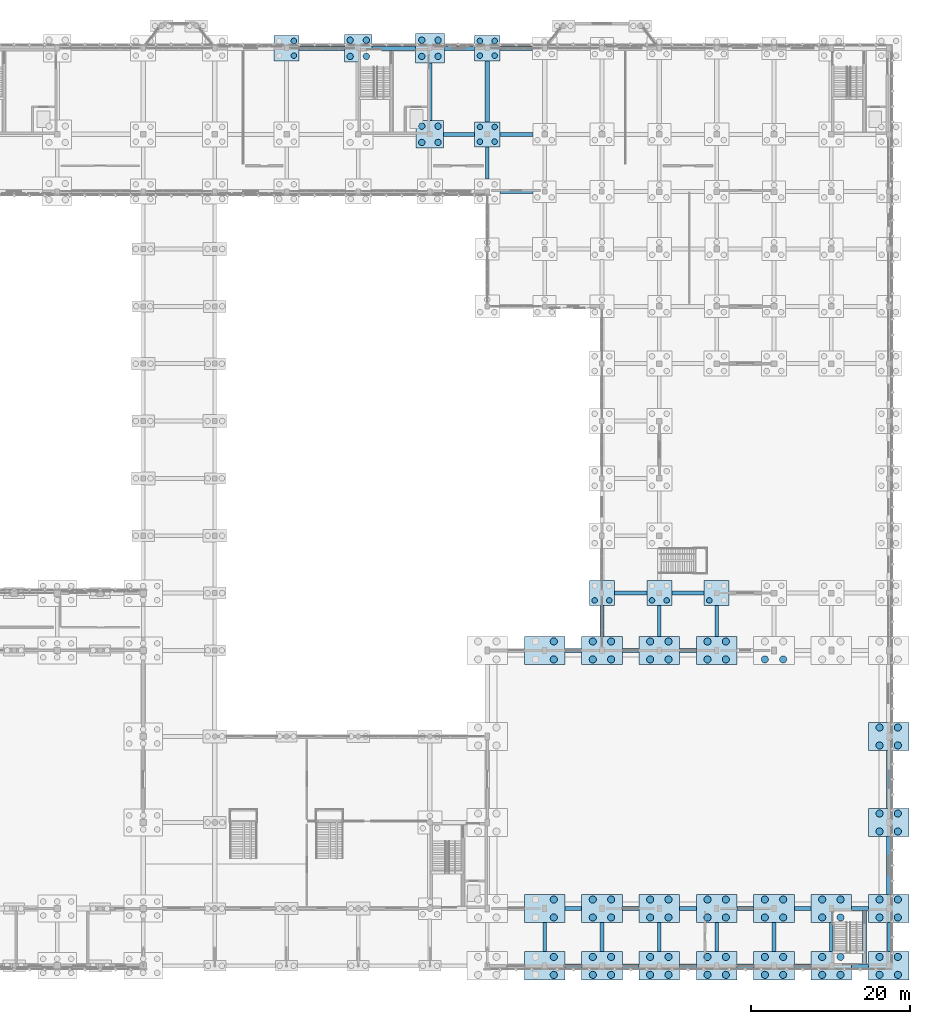
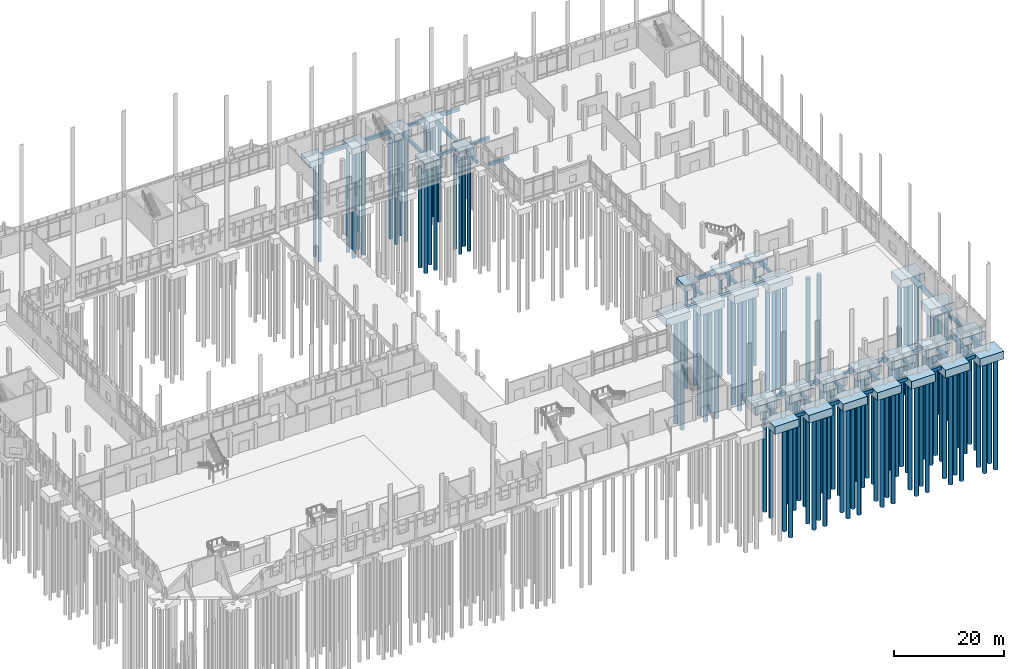
# One storey, part 7 of 109: 103 piles, 69 footings.
"""IFC4 building model written with IfcOpenShell, lengths in metres."""

import ifcopenshell
import ifcopenshell.guid

model = None  # the IFC model being written
_history = None  # IfcOwnerHistory: only IFC2X3 demands one
_inside = {}  # id of a spatial element -> (the spatial element, [elements in it])
_under = {}  # id of a project, library or spatial element -> (it, [spatial elements below it])
_declared = {}  # id of a project -> (the project, [libraries it declares])
_typed = {}  # id of a type object -> (the type object, [elements of that type])
_made_of = {}  # id of a material, layer set ... -> (it, [elements and type objects made of it])


def new_model(schema):
    """Start an empty IFC model of exactly this schema.

    Asked for "IFC4X3", IfcOpenShell would pick the latest addendum, in which some entities
    have other attributes; the version numbers below select the first issue.
    IFC2X3 requires an IfcOwnerHistory on every rooted entity: one is made here for all.
    """
    global model, _history
    if schema == "IFC4X3":
        model = ifcopenshell.file(schema_version=(4, 3, 0, 0))
    else:
        model = ifcopenshell.file(schema=schema)
    _inside.clear()
    _under.clear()
    _declared.clear()
    _typed.clear()
    _made_of.clear()
    _history = None
    if model.schema == "IFC2X3":
        org = make("IfcOrganization", Name="unknown")
        user = make(
            "IfcPersonAndOrganization",
            ThePerson=make("IfcPerson", FamilyName="unknown"),
            TheOrganization=org,
        )
        app = make(
            "IfcApplication",
            ApplicationDeveloper=org,
            Version="unknown",
            ApplicationFullName="unknown",
            ApplicationIdentifier="unknown",
        )
        _history = make(
            "IfcOwnerHistory",
            OwningUser=user,
            OwningApplication=app,
            ChangeAction="ADDED",
            CreationDate=0,
        )
    return model


def make(cls, **values):
    """One entity of the class cls with the attributes given. An attribute that is None is left unset."""
    return model.create_entity(
        cls, **{name: value for name, value in values.items() if value is not None}
    )


def rooted(cls, **values):
    """An entity with a GlobalId (a new one), such as an element, a storey or a relation."""
    return make(cls, GlobalId=ifcopenshell.guid.new(), OwnerHistory=_history, **values)


def si_unit(unit_type, name, prefix=None):
    """IfcSIUnit, for example si_unit("LENGTHUNIT", "METRE", prefix="MILLI")."""
    return make("IfcSIUnit", UnitType=unit_type, Prefix=prefix, Name=name)


def assignment(units):
    """IfcUnitAssignment: the units of a project."""
    return None if units is None else make("IfcUnitAssignment", Units=units)


def point(xyz):
    """IfcCartesianPoint."""
    return None if xyz is None else make("IfcCartesianPoint", Coordinates=xyz)


def direction(xyz):
    """IfcDirection."""
    return None if xyz is None else make("IfcDirection", DirectionRatios=xyz)


def frame(location, z_axis=None, x_axis=None):
    """IfcAxis2Placement3D, a coordinate frame: its origin and axes. An axis left out is left unset."""
    return make(
        "IfcAxis2Placement3D",
        Location=point(location),
        Axis=direction(z_axis),
        RefDirection=direction(x_axis),
    )


def frame_2d(location, x_axis=None):
    """IfcAxis2Placement2D, a coordinate frame in the plane: its origin and x axis."""
    return make(
        "IfcAxis2Placement2D", Location=point(location), RefDirection=direction(x_axis)
    )


def origin():
    """The frame at (0, 0, 0) with its axes left unset."""
    return frame((0.0, 0.0, 0.0))


def origin_2d():
    """The frame at (0, 0) in the plane with its x axis left unset."""
    return frame_2d((0.0, 0.0))


def place(relative_to, where):
    """IfcLocalPlacement: puts the frame where relative to a parent placement (None: the world)."""
    return make(
        "IfcLocalPlacement", PlacementRelTo=relative_to, RelativePlacement=where
    )


def context(
    kind, dimensions, precision=None, world=None, true_north=None, identifier=None
):
    """IfcGeometricRepresentationContext, for example the 3D "Model" context."""
    return make(
        "IfcGeometricRepresentationContext",
        ContextIdentifier=identifier,
        ContextType=kind,
        CoordinateSpaceDimension=dimensions,
        Precision=precision,
        WorldCoordinateSystem=world,
        TrueNorth=true_north,
    )


def subcontext(parent, identifier, kind, view, scale=None):
    """IfcGeometricRepresentationSubContext, for example "Body" below "Model"."""
    return make(
        "IfcGeometricRepresentationSubContext",
        ContextIdentifier=identifier,
        ContextType=kind,
        ParentContext=parent,
        TargetScale=scale,
        TargetView=view,
    )


def project(units=None, contexts=None):
    """IfcProject with its units and contexts."""
    return rooted(
        "IfcProject",
        Name="project",
        RepresentationContexts=contexts,
        UnitsInContext=assignment(units),
    )


def spatial(cls, under=None, at=None, **own):
    """A site, building, storey or space (cls), placed at a placement, below another one or the project."""
    s = rooted(cls, ObjectPlacement=at, **own)
    if under is not None:
        _under.setdefault(under.id(), (under, []))[1].append(s)
    return s


def profile(cls, at=None, kind="AREA", **sizes):
    """A parametric profile (cls). Its sizes go by their IFC names, for example OverallWidth=200.0."""
    return make(cls, ProfileType=kind, Position=at, **sizes)


def rectangle(**sizes):
    """IfcRectangleProfileDef."""
    return profile("IfcRectangleProfileDef", **sizes)


def circle(**sizes):
    """IfcCircleProfileDef."""
    return profile("IfcCircleProfileDef", **sizes)


def extrude(swept, where, along, depth):
    """IfcExtrudedAreaSolid: the profile swept, set in the frame where, extruded along a direction by depth."""
    return make(
        "IfcExtrudedAreaSolid",
        SweptArea=swept,
        Position=where,
        ExtrudedDirection=direction(along),
        Depth=depth,
    )


def shape(context_of_items, identifier, shape_type, items):
    """IfcShapeRepresentation: the items that make up one representation, for example the "Body"."""
    return make(
        "IfcShapeRepresentation",
        ContextOfItems=context_of_items,
        RepresentationIdentifier=identifier,
        RepresentationType=shape_type,
        Items=items,
    )


def material(Name=None, Category=None):
    """IfcMaterial."""
    return make("IfcMaterial", Name=Name, Category=Category)


def material_profile(
    of_material, cross_section, Name=None, Category=None, Priority=None
):
    """IfcMaterialProfile: a cross section and its material."""
    return make(
        "IfcMaterialProfile",
        Name=Name,
        Material=of_material,
        Profile=cross_section,
        Priority=Priority,
        Category=Category,
    )


def profile_set(profiles, Name=None, composite=None):
    """IfcMaterialProfileSet."""
    return make(
        "IfcMaterialProfileSet",
        Name=Name,
        MaterialProfiles=profiles,
        CompositeProfile=composite,
    )


def made_of(thing, what):
    """Note that an element or type object is made of a material, layer set ...; save() writes the relation."""
    if what is not None:
        _made_of.setdefault(what.id(), (what, []))[1].append(thing)
    return thing


def type_object(cls, material=None, **own):
    """A type object (cls), such as IfcWallType, which elements share."""
    return made_of(rooted(cls, **own), material)


def element(
    cls,
    number,
    at=None,
    inside=None,
    cuts=None,
    type_object=None,
    material=None,
    context=None,
    identifier="Body",
    shape_type=None,
    held_by="IfcProductDefinitionShape",
    body=None,
    shapes=None,
    **own,
):
    """One element of the class cls, such as IfcWall. Its Tag is "e" and its number.

    at: its placement. inside: the storey or other place that contains it. cuts: it is an
    opening in that element (IfcRelVoidsElement). A single representation is given by context,
    identifier, shape_type and body (its items); several are given by shapes. held_by: the class
    of the entity that holds the representations. save() writes the other relations.
    """
    e = rooted(cls, Tag="e%d" % number, ObjectPlacement=at, **own)
    if body is not None:
        shapes = [shape(context, identifier, shape_type, body)]
    if shapes is not None:
        e.Representation = make(held_by, Representations=shapes)
    if inside is not None:
        _inside.setdefault(inside.id(), (inside, []))[1].append(e)
    if cuts is not None:
        rooted(
            "IfcRelVoidsElement", RelatingBuildingElement=cuts, RelatedOpeningElement=e
        )
    if type_object is not None:
        _typed.setdefault(type_object.id(), (type_object, []))[1].append(e)
    return made_of(e, material)


def aggregate(whole, parts):
    """IfcRelAggregates: a whole, such as a stair, and the parts it consists of."""
    return rooted("IfcRelAggregates", RelatingObject=whole, RelatedObjects=parts)


def save(model, path):
    """Write the relations noted so far, then the file.

    IfcRelAggregates (storeys below a building ...), IfcRelContainedInSpatialStructure (elements
    in a storey), IfcRelDefinesByType, IfcRelAssociatesMaterial and IfcRelDeclares: one each for
    every whole, place, type object, material and project.
    """
    for whole, parts in _under.values():
        aggregate(whole, parts)
    for where, things in _inside.values():
        rooted(
            "IfcRelContainedInSpatialStructure",
            RelatedElements=things,
            RelatingStructure=where,
        )
    for kind, things in _typed.values():
        rooted("IfcRelDefinesByType", RelatedObjects=things, RelatingType=kind)
    for what, things in _made_of.values():
        rooted("IfcRelAssociatesMaterial", RelatedObjects=things, RelatingMaterial=what)
    for by, libraries in _declared.values():
        rooted("IfcRelDeclares", RelatingContext=by, RelatedDefinitions=libraries)
    model.write(path)


model = new_model("IFC4")

# Units and contexts
model_context = context("Model", 3, precision=1e-05, world=origin(), true_north=direction((0.0, 1.0)))
body_context = subcontext(model_context, "Body", "Model", "MODEL_VIEW")
ifc_project = project(units=[si_unit("LENGTHUNIT", "METRE"), si_unit("AREAUNIT", "SQUARE_METRE"), si_unit("VOLUMEUNIT", "CUBIC_METRE"), si_unit("PLANEANGLEUNIT", "RADIAN"), si_unit("MASSUNIT", "GRAM", prefix="KILO")], contexts=[model_context])

# Site, building, storey
site_placement = place(None, origin())
site = spatial("IfcSite", under=ifc_project, at=site_placement, CompositionType="ELEMENT")
building_placement = place(site_placement, origin())
building = spatial("IfcBuilding", under=site, at=building_placement, Name="Lusvemor Sports Hall", CompositionType="ELEMENT")
storey_placement = place(building_placement, origin())
storey = spatial("IfcBuildingStorey", under=building, at=storey_placement, Name="L00", CompositionType="ELEMENT", Elevation=0.0)

# Footings
ifc_material_1 = material(Name="Concrete C40/50", Category="concrete")
ifc_material_profile_1 = material_profile(ifc_material_1, rectangle(XDim=0.449951171875, YDim=0.64990234375, at=origin_2d()), Name="GB_450x650")
ifc_profile_set_1 = profile_set([ifc_material_profile_1], Name="Concrete C40/50")
footing_type_1 = type_object("IfcFootingType", Name="GBEAM_450x650", PredefinedType="FOOTING_BEAM", material=ifc_profile_set_1)
footing_1_placement = place(storey_placement, frame((118.800048828125, 98.77294921875, -0.625), z_axis=(0.0, 1.0, 0.0), x_axis=(-1.0, 0.0, 0.0)))
element("IfcFooting", 1, at=footing_1_placement, inside=storey, type_object=footing_type_1, Name="Ground Tie Beam 13:N-P", PredefinedType="FOOTING_BEAM", context=body_context, shape_type="SweptSolid", body=[
    extrude(rectangle(XDim=0.449951171875, YDim=0.64990234375, at=origin_2d()), origin(), (0.0, 0.0, 1.0), 4.053955078125),
])
for number, where, z_axis, x_axis, name in (
    (2, (126.0, 1.77294921875, -0.625), (0.0, 1.0, 0.0), (-1.0, 0.0, 0.0), "Ground Tie Beam 14:A-B"),
    (3, (133.199951171875, 1.77294921875, -0.625), (0.0, 1.0, 0.0), (-1.0, 0.0, 0.0), "Ground Tie Beam 15:A-B"),
):
    element("IfcFooting", number, at=place(storey_placement, frame(where, z_axis=z_axis, x_axis=x_axis)), inside=storey, type_object=footing_type_1, Name=name, PredefinedType="FOOTING_BEAM", context=body_context, shape_type="SweptSolid", body=[
        extrude(rectangle(XDim=0.449951171875, YDim=0.64990234375, at=origin_2d()), origin(), (0.0, 0.0, 1.0), 3.654052734375),
    ])
footing_2_placement = place(storey_placement, frame((133.199951171875, 41.373046875, -0.625), z_axis=(0.0, 1.0, 0.0), x_axis=(-1.0, 0.0, 0.0)))
element("IfcFooting", 4, at=footing_2_placement, inside=storey, type_object=footing_type_1, Name="Ground Tie Beam 15:E-F", PredefinedType="FOOTING_BEAM", context=body_context, shape_type="SweptSolid", body=[
    extrude(rectangle(XDim=0.449951171875, YDim=0.64990234375, at=origin_2d()), origin(), (0.0, 0.0, 1.0), 3.85400390625),
])
footing_3_placement = place(storey_placement, frame((140.39990234375, 1.77294921875, -0.625), z_axis=(0.0, 1.0, 0.0), x_axis=(-1.0, 0.0, 0.0)))
element("IfcFooting", 5, at=footing_3_placement, inside=storey, type_object=footing_type_1, Name="Ground Tie Beam 16:A-B", PredefinedType="FOOTING_BEAM", context=body_context, shape_type="SweptSolid", body=[
    extrude(rectangle(XDim=0.449951171875, YDim=0.64990234375, at=origin_2d()), origin(), (0.0, 0.0, 1.0), 3.654052734375),
])
footing_4_placement = place(storey_placement, frame((140.39990234375, 41.373046875, -0.625), z_axis=(0.0, 1.0, 0.0), x_axis=(-1.0, 0.0, 0.0)))
element("IfcFooting", 6, at=footing_4_placement, inside=storey, type_object=footing_type_1, Name="Ground Tie Beam 16:E-F", PredefinedType="FOOTING_BEAM", context=body_context, shape_type="SweptSolid", body=[
    extrude(rectangle(XDim=0.449951171875, YDim=0.64990234375, at=origin_2d()), origin(), (0.0, 0.0, 1.0), 3.85400390625),
])
footing_5_placement = place(storey_placement, frame((147.60009765625, 1.77294921875, -0.625), z_axis=(0.0, 1.0, 0.0), x_axis=(-1.0, 0.0, 0.0)))
element("IfcFooting", 7, at=footing_5_placement, inside=storey, type_object=footing_type_1, Name="Ground Tie Beam 17:A-B", PredefinedType="FOOTING_BEAM", context=body_context, shape_type="SweptSolid", body=[
    extrude(rectangle(XDim=0.449951171875, YDim=0.64990234375, at=origin_2d()), origin(), (0.0, 0.0, 1.0), 3.654052734375),
])
footing_6_placement = place(storey_placement, frame((147.60009765625, 41.373046875, -0.625), z_axis=(0.0, 1.0, 0.0), x_axis=(-1.0, 0.0, 0.0)))
element("IfcFooting", 8, at=footing_6_placement, inside=storey, type_object=footing_type_1, Name="Ground Tie Beam 17:E-F", PredefinedType="FOOTING_BEAM", context=body_context, shape_type="SweptSolid", body=[
    extrude(rectangle(XDim=0.449951171875, YDim=0.64990234375, at=origin_2d()), origin(), (0.0, 0.0, 1.0), 3.85400390625),
])
for number, where, z_axis, x_axis, name in (
    (9, (154.800048828125, 1.77294921875, -0.625), (0.0, 1.0, 0.0), (-1.0, 0.0, 0.0), "Ground Tie Beam 18:A-B"),
    (10, (162.0, 1.77294921875, -0.625), (0.0, 1.0, 0.0), (-1.0, 0.0, 0.0), "Ground Tie Beam 19:A-B"),
    (11, (169.199951171875, 1.77294921875, -0.625), (0.0, 1.0, 0.0), (-1.0, 0.0, 0.0), "Ground Tie Beam 20:A-B"),
):
    element("IfcFooting", number, at=place(storey_placement, frame(where, z_axis=z_axis, x_axis=x_axis)), inside=storey, type_object=footing_type_1, Name=name, PredefinedType="FOOTING_BEAM", context=body_context, shape_type="SweptSolid", body=[
        extrude(rectangle(XDim=0.449951171875, YDim=0.64990234375, at=origin_2d()), origin(), (0.0, 0.0, 1.0), 3.654052734375),
    ])
ifc_material_2 = material(Name="Concrete C40/50", Category="concrete")
ifc_material_profile_2 = material_profile(ifc_material_2, rectangle(XDim=0.5, YDim=0.699951171875, at=origin_2d()), Name="GB_500x700")
ifc_profile_set_2 = profile_set([ifc_material_profile_2], Name="Concrete C40/50")
footing_type_2 = type_object("IfcFootingType", Name="GBEAM_500x700", PredefinedType="FOOTING_BEAM", material=ifc_profile_set_2)
for number, where, z_axis, x_axis, name in (
    (12, (128.548095703125, 0.0, -0.64990234375), (1.0, 0.0, 0.0), (0.0, 1.0, 0.0), "Ground Tie Beam A:14-15"),
    (13, (135.748046875, 0.0, -0.64990234375), (1.0, 0.0, 0.0), (0.0, 1.0, 0.0), "Ground Tie Beam A:15-16"),
    (14, (142.947998046875, 0.0, -0.64990234375), (1.0, 0.0, 0.0), (0.0, 1.0, 0.0), "Ground Tie Beam A:16-17"),
    (15, (150.14794921875, 0.0, -0.64990234375), (1.0, 0.0, 0.0), (0.0, 1.0, 0.0), "Ground Tie Beam A:17-18"),
    (16, (157.347900390625, 0.0, -0.64990234375), (1.0, 0.0, 0.0), (0.0, 1.0, 0.0), "Ground Tie Beam A:18-19"),
    (17, (164.548095703125, 0.0, -0.64990234375), (1.0, 0.0, 0.0), (0.0, 1.0, 0.0), "Ground Tie Beam A:19-20"),
    (18, (128.548095703125, 7.199951171875, -0.64990234375), (1.0, 0.0, 0.0), (0.0, 1.0, 0.0), "Ground Tie Beam B:14-15"),
    (19, (135.748046875, 7.199951171875, -0.64990234375), (1.0, 0.0, 0.0), (0.0, 1.0, 0.0), "Ground Tie Beam B:15-16"),
    (20, (142.947998046875, 7.199951171875, -0.64990234375), (1.0, 0.0, 0.0), (0.0, 1.0, 0.0), "Ground Tie Beam B:16-17"),
    (21, (150.14794921875, 7.199951171875, -0.64990234375), (1.0, 0.0, 0.0), (0.0, 1.0, 0.0), "Ground Tie Beam B:17-18"),
    (22, (157.347900390625, 7.199951171875, -0.64990234375), (1.0, 0.0, 0.0), (0.0, 1.0, 0.0), "Ground Tie Beam B:18-19"),
    (23, (164.548095703125, 7.199951171875, -0.64990234375), (1.0, 0.0, 0.0), (0.0, 1.0, 0.0), "Ground Tie Beam B:19-20"),
    (24, (128.548095703125, 39.60009765625, -0.64990234375), (1.0, 0.0, 0.0), (0.0, 1.0, 0.0), "Ground Tie Beam E:14-15"),
    (25, (135.748046875, 39.60009765625, -0.64990234375), (1.0, 0.0, 0.0), (0.0, 1.0, 0.0), "Ground Tie Beam E:15-16"),
    (26, (142.947998046875, 39.60009765625, -0.64990234375), (1.0, 0.0, 0.0), (0.0, 1.0, 0.0), "Ground Tie Beam E:16-17"),
):
    element("IfcFooting", number, at=place(storey_placement, frame(where, z_axis=z_axis, x_axis=x_axis)), inside=storey, type_object=footing_type_2, Name=name, PredefinedType="FOOTING_BEAM", context=body_context, shape_type="SweptSolid", body=[
        extrude(rectangle(XDim=0.5, YDim=0.699951171875, at=origin_2d()), origin(), (0.0, 0.0, 1.0), 2.10400390625),
    ])
footing_7_placement = place(storey_placement, frame((134.77294921875, 46.800048828125, -0.64990234375), z_axis=(1.0, 0.0, 0.0), x_axis=(0.0, 1.0, 0.0)))
element("IfcFooting", 27, at=footing_7_placement, inside=storey, type_object=footing_type_2, Name="Ground Tie Beam F:15-16", PredefinedType="FOOTING_BEAM", context=body_context, shape_type="SweptSolid", body=[
    extrude(rectangle(XDim=0.5, YDim=0.699951171875, at=origin_2d()), origin(), (0.0, 0.0, 1.0), 4.053955078125),
])
footing_8_placement = place(storey_placement, frame((141.972900390625, 46.800048828125, -0.64990234375), z_axis=(1.0, 0.0, 0.0), x_axis=(0.0, 1.0, 0.0)))
element("IfcFooting", 28, at=footing_8_placement, inside=storey, type_object=footing_type_2, Name="Ground Tie Beam F:16-17", PredefinedType="FOOTING_BEAM", context=body_context, shape_type="SweptSolid", body=[
    extrude(rectangle(XDim=0.5, YDim=0.699951171875, at=origin_2d()), origin(), (0.0, 0.0, 1.0), 4.05419921875),
])
footing_9_placement = place(storey_placement, frame((120.373046875, 97.199951171875, -0.64990234375), z_axis=(1.0, 0.0, 0.0), x_axis=(0.0, 1.0, 0.0)))
element("IfcFooting", 29, at=footing_9_placement, inside=storey, type_object=footing_type_2, Name="Ground Tie Beam N:13-14", PredefinedType="FOOTING_BEAM", context=body_context, shape_type="SweptSolid", body=[
    extrude(rectangle(XDim=0.5, YDim=0.699951171875, at=origin_2d()), origin(), (0.0, 0.0, 1.0), 4.178955078125),
])
footing_10_placement = place(storey_placement, frame((113.322998046875, 104.39990234375, -0.64990234375), z_axis=(1.0, 0.0, 0.0), x_axis=(0.0, 1.0, 0.0)))
element("IfcFooting", 30, at=footing_10_placement, inside=storey, type_object=footing_type_2, Name="Ground Tie Beam P:12-13", PredefinedType="FOOTING_BEAM", context=body_context, shape_type="SweptSolid", body=[
    extrude(rectangle(XDim=0.5, YDim=0.699951171875, at=origin_2d()), origin(), (0.0, 0.0, 1.0), 3.904052734375),
])
footing_11_placement = place(storey_placement, frame((120.373046875, 104.39990234375, -0.64990234375), z_axis=(1.0, 0.0, 0.0), x_axis=(0.0, 1.0, 0.0)))
element("IfcFooting", 31, at=footing_11_placement, inside=storey, type_object=footing_type_2, Name="Ground Tie Beam P:13-14", PredefinedType="FOOTING_BEAM", context=body_context, shape_type="SweptSolid", body=[
    extrude(rectangle(XDim=0.5, YDim=0.699951171875, at=origin_2d()), origin(), (0.0, 0.0, 1.0), 4.178955078125),
])
footing_12_placement = place(storey_placement, frame((95.173095703125, 115.199951171875, -0.64990234375), z_axis=(1.0, 0.0, 0.0), x_axis=(0.0, 1.0, 0.0)))
element("IfcFooting", 32, at=footing_12_placement, inside=storey, type_object=footing_type_2, Name="Ground Tie Beam Q:10-11", PredefinedType="FOOTING_BEAM", context=body_context, shape_type="SweptSolid", body=[
    extrude(rectangle(XDim=0.5, YDim=0.699951171875, at=origin_2d()), origin(), (0.0, 0.0, 1.0), 5.703857421875),
])
footing_13_placement = place(storey_placement, frame((104.322998046875, 115.199951171875, -0.64990234375), z_axis=(1.0, 0.0, 0.0), x_axis=(0.0, 1.0, 0.0)))
element("IfcFooting", 33, at=footing_13_placement, inside=storey, type_object=footing_type_2, Name="Ground Tie Beam Q:11-12", PredefinedType="FOOTING_BEAM", context=body_context, shape_type="SweptSolid", body=[
    extrude(rectangle(XDim=0.5, YDim=0.699951171875, at=origin_2d()), origin(), (0.0, 0.0, 1.0), 5.4541015625),
])
footing_14_placement = place(storey_placement, frame((113.423095703125, 115.199951171875, -0.64990234375), z_axis=(1.0, 0.0, 0.0), x_axis=(0.0, 1.0, 0.0)))
element("IfcFooting", 34, at=footing_14_placement, inside=storey, type_object=footing_type_2, Name="Ground Tie Beam Q:12-13", PredefinedType="FOOTING_BEAM", context=body_context, shape_type="SweptSolid", body=[
    extrude(rectangle(XDim=0.5, YDim=0.699951171875, at=origin_2d()), origin(), (0.0, 0.0, 1.0), 3.803955078125),
])
footing_15_placement = place(storey_placement, frame((120.373046875, 115.199951171875, -0.64990234375), z_axis=(1.0, 0.0, 0.0), x_axis=(0.0, 1.0, 0.0)))
element("IfcFooting", 35, at=footing_15_placement, inside=storey, type_object=footing_type_2, Name="Ground Tie Beam Q:13-14", PredefinedType="FOOTING_BEAM", context=body_context, shape_type="SweptSolid", body=[
    extrude(rectangle(XDim=0.5, YDim=0.699951171875, at=origin_2d()), origin(), (0.0, 0.0, 1.0), 4.10400390625),
])
footing_16_placement = place(storey_placement, frame((166.14990234375, 0.0, -0.64990234375), z_axis=(0.0, 1.0, 0.0), x_axis=(-1.0, 0.0, 0.0)))
element("IfcFooting", 36, at=footing_16_placement, inside=storey, type_object=footing_type_2, Name="Core C8 Southeast Stacked Divider Ground Beam", PredefinedType="FOOTING_BEAM", context=body_context, shape_type="SweptSolid", body=[
    extrude(rectangle(XDim=0.5, YDim=0.699951171875, at=origin_2d()), origin(), (0.0, 0.0, 1.0), 7.199951171875),
])
ifc_material_3 = material(Name="Concrete C40/50", Category="concrete")
ifc_material_profile_3 = material_profile(ifc_material_3, rectangle(XDim=0.550048828125, YDim=0.75, at=origin_2d()), Name="GB_550x750")
ifc_profile_set_3 = profile_set([ifc_material_profile_3], Name="Concrete C40/50")
footing_type_3 = type_object("IfcFootingType", Name="GBEAM_550x750", PredefinedType="FOOTING_BEAM", material=ifc_profile_set_3)
footing_17_placement = place(storey_placement, frame((111.60009765625, 106.123046875, -0.675048828125), z_axis=(0.0, 1.0, 0.0), x_axis=(-1.0, 0.0, 0.0)))
element("IfcFooting", 37, at=footing_17_placement, inside=storey, type_object=footing_type_3, Name="Ground Tie Beam 12:P-Q", PredefinedType="FOOTING_BEAM", context=body_context, shape_type="SweptSolid", body=[
    extrude(rectangle(XDim=0.550048828125, YDim=0.75, at=origin_2d()), origin(), (0.0, 0.0, 1.0), 7.25390625),
])
footing_18_placement = place(storey_placement, frame((118.800048828125, 105.972900390625, -0.675048828125), z_axis=(0.0, 1.0, 0.0), x_axis=(-1.0, 0.0, 0.0)))
element("IfcFooting", 38, at=footing_18_placement, inside=storey, type_object=footing_type_3, Name="Ground Tie Beam 13:P-Q", PredefinedType="FOOTING_BEAM", context=body_context, shape_type="SweptSolid", body=[
    extrude(rectangle(XDim=0.550048828125, YDim=0.75, at=origin_2d()), origin(), (0.0, 0.0, 1.0), 7.654052734375),
])
for number, where, z_axis, x_axis, name in (
    (39, (169.199951171875, 8.972900390625, -0.675048828125), (0.0, 1.0, 0.0), (-1.0, 0.0, 0.0), "Ground Tie Beam 20:B-C"),
    (40, (169.199951171875, 19.77294921875, -0.675048828125), (0.0, 1.0, 0.0), (-1.0, 0.0, 0.0), "Ground Tie Beam 20:C-D"),
):
    element("IfcFooting", number, at=place(storey_placement, frame(where, z_axis=z_axis, x_axis=x_axis)), inside=storey, type_object=footing_type_3, Name=name, PredefinedType="FOOTING_BEAM", context=body_context, shape_type="SweptSolid", body=[
        extrude(rectangle(XDim=0.550048828125, YDim=0.75, at=origin_2d()), origin(), (0.0, 0.0, 1.0), 7.254150390625),
    ])
ifc_material_4 = material(Name="Concrete C40/50", Category="concrete")
footing_type_4 = type_object("IfcFootingType", Name="PCAP_4P_A", PredefinedType="PILE_CAP", material=ifc_material_4)
for number, where, z_axis, x_axis, name in (
    (41, (93.60009765625, 115.199951171875, -1.650146484375), (0.0, 0.0, 1.0), (1.0, 0.0, 0.0), "Pile Cap 10/Q"),
    (42, (118.800048828125, 104.39990234375, -1.650146484375), (0.0, 0.0, 1.0), (1.0, 0.0, 0.0), "Pile Cap 13/P"),
    (43, (118.800048828125, 115.199951171875, -1.650146484375), (0.0, 0.0, 1.0), (1.0, 0.0, 0.0), "Pile Cap 13/Q"),
    (44, (133.199951171875, 46.800048828125, -1.650146484375), (0.0, 0.0, 1.0), (1.0, 0.0, 0.0), "Pile Cap 15/F"),
    (45, (140.39990234375, 46.800048828125, -1.650146484375), (0.0, 0.0, 1.0), (1.0, 0.0, 0.0), "Pile Cap 16/F"),
    (46, (147.60009765625, 46.800048828125, -1.650146484375), (0.0, 0.0, 1.0), (1.0, 0.0, 0.0), "Pile Cap 17/F"),
):
    element("IfcFooting", number, at=place(storey_placement, frame(where, z_axis=z_axis, x_axis=x_axis)), inside=storey, type_object=footing_type_4, Name=name, PredefinedType="PILE_CAP", context=body_context, shape_type="SweptSolid", body=[
        extrude(rectangle(XDim=3.14990234375, YDim=3.14990234375, at=origin_2d()), origin(), (0.0, 0.0, 1.0), 1.35009765625),
    ])
ifc_material_5 = material(Name="Concrete C40/50", Category="concrete")
footing_type_5 = type_object("IfcFootingType", Name="PCAP_4P_B", PredefinedType="PILE_CAP", material=ifc_material_5)
for number, where, z_axis, x_axis, name in (
    (47, (102.60009765625, 115.199951171875, -1.75), (0.0, 0.0, 1.0), (1.0, 0.0, 0.0), "Pile Cap 11/Q"),
    (48, (111.60009765625, 104.39990234375, -1.75), (0.0, 0.0, 1.0), (1.0, 0.0, 0.0), "Pile Cap 12/P"),
):
    element("IfcFooting", number, at=place(storey_placement, frame(where, z_axis=z_axis, x_axis=x_axis)), inside=storey, type_object=footing_type_5, Name=name, PredefinedType="PILE_CAP", context=body_context, shape_type="SweptSolid", body=[
        extrude(rectangle(XDim=3.449951171875, YDim=3.449951171875, at=origin_2d()), origin(), (0.0, 0.0, 1.0), 1.449951171875),
    ])
ifc_material_6 = material(Name="Concrete C40/50", Category="concrete")
footing_type_6 = type_object("IfcFootingType", Name="PCAP_4P_C", PredefinedType="PILE_CAP", material=ifc_material_6)
footing_19_placement = place(storey_placement, frame((111.60009765625, 115.199951171875, -1.85009765625), z_axis=(0.0, 0.0, 1.0), x_axis=(1.0, 0.0, 0.0)))
element("IfcFooting", 49, at=footing_19_placement, inside=storey, type_object=footing_type_6, Name="Pile Cap 12/Q", PredefinedType="PILE_CAP", context=body_context, shape_type="SweptSolid", body=[
    extrude(rectangle(XDim=3.64990234375, YDim=3.64990234375, at=origin_2d()), origin(), (0.0, 0.0, 1.0), 1.550048828125),
])
ifc_material_7 = material(Name="Concrete C40/50", Category="concrete")
footing_type_7 = type_object("IfcFootingType", Name="PCAP_4P_PT", PredefinedType="PILE_CAP", material=ifc_material_7)
for number, where, z_axis, x_axis, name in (
    (50, (126.0, 0.0, -2.050048828125), (0.0, 0.0, 1.0), (1.0, 0.0, 0.0), "Pile Cap 14/A"),
    (51, (126.0, 7.199951171875, -2.050048828125), (0.0, 0.0, 1.0), (1.0, 0.0, 0.0), "Pile Cap 14/B"),
    (52, (126.0, 39.60009765625, -2.050048828125), (0.0, 0.0, 1.0), (1.0, 0.0, 0.0), "Pile Cap 14/E"),
    (53, (133.199951171875, 0.0, -2.050048828125), (0.0, 0.0, 1.0), (1.0, 0.0, 0.0), "Pile Cap 15/A"),
    (54, (133.199951171875, 7.199951171875, -2.050048828125), (0.0, 0.0, 1.0), (1.0, 0.0, 0.0), "Pile Cap 15/B"),
    (55, (133.199951171875, 39.60009765625, -2.050048828125), (0.0, 0.0, 1.0), (1.0, 0.0, 0.0), "Pile Cap 15/E"),
    (56, (140.39990234375, 0.0, -2.050048828125), (0.0, 0.0, 1.0), (1.0, 0.0, 0.0), "Pile Cap 16/A"),
    (57, (140.39990234375, 7.199951171875, -2.050048828125), (0.0, 0.0, 1.0), (1.0, 0.0, 0.0), "Pile Cap 16/B"),
    (58, (140.39990234375, 39.60009765625, -2.050048828125), (0.0, 0.0, 1.0), (1.0, 0.0, 0.0), "Pile Cap 16/E"),
    (59, (147.60009765625, 0.0, -2.050048828125), (0.0, 0.0, 1.0), (1.0, 0.0, 0.0), "Pile Cap 17/A"),
    (60, (147.60009765625, 7.199951171875, -2.050048828125), (0.0, 0.0, 1.0), (1.0, 0.0, 0.0), "Pile Cap 17/B"),
    (61, (147.60009765625, 39.60009765625, -2.050048828125), (0.0, 0.0, 1.0), (1.0, 0.0, 0.0), "Pile Cap 17/E"),
    (62, (154.800048828125, 0.0, -2.050048828125), (0.0, 0.0, 1.0), (1.0, 0.0, 0.0), "Pile Cap 18/A"),
    (63, (154.800048828125, 7.199951171875, -2.050048828125), (0.0, 0.0, 1.0), (1.0, 0.0, 0.0), "Pile Cap 18/B"),
    (64, (162.0, 0.0, -2.050048828125), (0.0, 0.0, 1.0), (1.0, 0.0, 0.0), "Pile Cap 19/A"),
    (65, (162.0, 7.199951171875, -2.050048828125), (0.0, 0.0, 1.0), (1.0, 0.0, 0.0), "Pile Cap 19/B"),
    (66, (169.199951171875, 0.0, -2.050048828125), (0.0, 0.0, 1.0), (1.0, 0.0, 0.0), "Pile Cap 20/A"),
    (67, (169.199951171875, 7.199951171875, -2.050048828125), (0.0, 0.0, 1.0), (1.0, 0.0, 0.0), "Pile Cap 20/B"),
    (68, (169.199951171875, 18.0, -2.050048828125), (0.0, 0.0, 1.0), (1.0, 0.0, 0.0), "Pile Cap 20/C"),
    (69, (169.199951171875, 28.800048828125, -2.050048828125), (0.0, 0.0, 1.0), (1.0, 0.0, 0.0), "Pile Cap 20/D"),
):
    element("IfcFooting", number, at=place(storey_placement, frame(where, z_axis=z_axis, x_axis=x_axis)), inside=storey, type_object=footing_type_7, Name=name, PredefinedType="PILE_CAP", context=body_context, shape_type="SweptSolid", body=[
        extrude(rectangle(XDim=5.10009765625, YDim=3.550048828125, at=origin_2d()), origin(), (0.0, 0.0, 1.0), 1.75),
    ])

# Piles
ifc_material_8 = material(Name="Concrete C40/50", Category="concrete")
ifc_material_profile_4 = material_profile(ifc_material_8, circle(Radius=0.35009765625, at=origin_2d()), Name="PILE700")
ifc_profile_set_4 = profile_set([ifc_material_profile_4], Name="Concrete C40/50")
pile_type_1 = type_object("IfcPileType", Name="PILE_BORED_700", PredefinedType="BORED", material=ifc_profile_set_4)
for number, where, z_axis, x_axis, name in (
    (70, (94.52001953125, 114.280029296875, -1.550048828125), (0.0, 0.0, -1.0), (1.0, 0.0, 0.0), "Bored Pile 10/Q-2"),
    (71, (94.52001953125, 116.1201171875, -1.550048828125), (0.0, 0.0, -1.0), (1.0, 0.0, 0.0), "Bored Pile 10/Q-4"),
    (72, (117.8798828125, 103.47998046875, -1.550048828125), (0.0, 0.0, -1.0), (1.0, 0.0, 0.0), "Bored Pile 13/P-1"),
    (73, (119.719970703125, 103.47998046875, -1.550048828125), (0.0, 0.0, -1.0), (1.0, 0.0, 0.0), "Bored Pile 13/P-2"),
    (74, (117.8798828125, 105.320068359375, -1.550048828125), (0.0, 0.0, -1.0), (1.0, 0.0, 0.0), "Bored Pile 13/P-3"),
    (75, (119.719970703125, 105.320068359375, -1.550048828125), (0.0, 0.0, -1.0), (1.0, 0.0, 0.0), "Bored Pile 13/P-4"),
    (76, (117.8798828125, 114.280029296875, -1.550048828125), (0.0, 0.0, -1.0), (1.0, 0.0, 0.0), "Bored Pile 13/Q-1"),
    (77, (119.719970703125, 114.280029296875, -1.550048828125), (0.0, 0.0, -1.0), (1.0, 0.0, 0.0), "Bored Pile 13/Q-2"),
    (78, (117.8798828125, 116.1201171875, -1.550048828125), (0.0, 0.0, -1.0), (1.0, 0.0, 0.0), "Bored Pile 13/Q-3"),
    (79, (119.719970703125, 116.1201171875, -1.550048828125), (0.0, 0.0, -1.0), (1.0, 0.0, 0.0), "Bored Pile 13/Q-4"),
    (80, (132.280029296875, 45.8798828125, -1.550048828125), (0.0, 0.0, -1.0), (1.0, 0.0, 0.0), "Bored Pile 15/F-1"),
    (81, (134.1201171875, 45.8798828125, -1.550048828125), (0.0, 0.0, -1.0), (1.0, 0.0, 0.0), "Bored Pile 15/F-2"),
    (82, (139.47998046875, 45.8798828125, -1.550048828125), (0.0, 0.0, -1.0), (1.0, 0.0, 0.0), "Bored Pile 16/F-1"),
    (83, (141.320068359375, 45.8798828125, -1.550048828125), (0.0, 0.0, -1.0), (1.0, 0.0, 0.0), "Bored Pile 16/F-2"),
    (84, (146.679931640625, 45.8798828125, -1.550048828125), (0.0, 0.0, -1.0), (1.0, 0.0, 0.0), "Bored Pile 17/F-1"),
):
    element("IfcPile", number, at=place(storey_placement, frame(where, z_axis=z_axis, x_axis=x_axis)), inside=storey, type_object=pile_type_1, Name=name, PredefinedType="BORED", context=body_context, shape_type="SweptSolid", body=[
        extrude(circle(Radius=0.35009765625, at=origin_2d()), origin(), (0.0, 0.0, 1.0), 22.0),
    ])
ifc_material_9 = material(Name="Concrete C40/50", Category="concrete")
ifc_material_profile_5 = material_profile(ifc_material_9, circle(Radius=0.39990234375, at=origin_2d()), Name="PILE800")
ifc_profile_set_5 = profile_set([ifc_material_profile_5], Name="Concrete C40/50")
pile_type_2 = type_object("IfcPileType", Name="PILE_BORED_800", PredefinedType="BORED", material=ifc_profile_set_5)
for number, where, z_axis, x_axis, name in (
    (85, (101.580078125, 114.179931640625, -1.64990234375), (0.0, 0.0, -1.0), (1.0, 0.0, 0.0), "Bored Pile 11/Q-1"),
    (86, (103.6201171875, 114.179931640625, -1.64990234375), (0.0, 0.0, -1.0), (1.0, 0.0, 0.0), "Bored Pile 11/Q-2"),
    (87, (101.580078125, 116.219970703125, -1.64990234375), (0.0, 0.0, -1.0), (1.0, 0.0, 0.0), "Bored Pile 11/Q-3"),
    (88, (103.6201171875, 116.219970703125, -1.64990234375), (0.0, 0.0, -1.0), (1.0, 0.0, 0.0), "Bored Pile 11/Q-4"),
    (89, (110.580078125, 103.3798828125, -1.64990234375), (0.0, 0.0, -1.0), (1.0, 0.0, 0.0), "Bored Pile 12/P-1"),
    (90, (112.6201171875, 103.3798828125, -1.64990234375), (0.0, 0.0, -1.0), (1.0, 0.0, 0.0), "Bored Pile 12/P-2"),
    (91, (110.580078125, 105.419921875, -1.64990234375), (0.0, 0.0, -1.0), (1.0, 0.0, 0.0), "Bored Pile 12/P-3"),
    (92, (112.6201171875, 105.419921875, -1.64990234375), (0.0, 0.0, -1.0), (1.0, 0.0, 0.0), "Bored Pile 12/P-4"),
    (93, (110.580078125, 114.179931640625, -1.75), (0.0, 0.0, -1.0), (1.0, 0.0, 0.0), "Bored Pile 12/Q-1"),
    (94, (112.6201171875, 114.179931640625, -1.75), (0.0, 0.0, -1.0), (1.0, 0.0, 0.0), "Bored Pile 12/Q-2"),
    (95, (110.580078125, 116.219970703125, -1.75), (0.0, 0.0, -1.0), (1.0, 0.0, 0.0), "Bored Pile 12/Q-3"),
    (96, (112.6201171875, 116.219970703125, -1.75), (0.0, 0.0, -1.0), (1.0, 0.0, 0.0), "Bored Pile 12/Q-4"),
):
    element("IfcPile", number, at=place(storey_placement, frame(where, z_axis=z_axis, x_axis=x_axis)), inside=storey, type_object=pile_type_2, Name=name, PredefinedType="BORED", context=body_context, shape_type="SweptSolid", body=[
        extrude(circle(Radius=0.39990234375, at=origin_2d()), origin(), (0.0, 0.0, 1.0), 23.5),
    ])
ifc_material_10 = material(Name="Concrete C40/50", Category="concrete")
ifc_material_profile_6 = material_profile(ifc_material_10, circle(Radius=0.449951171875, at=origin_2d()), Name="PILE900")
ifc_profile_set_6 = profile_set([ifc_material_profile_6], Name="Concrete C40/50")
pile_type_3 = type_object("IfcPileType", Name="PILE_BORED_900", PredefinedType="BORED", material=ifc_profile_set_6)
for number, where, z_axis, x_axis, name in (
    (97, (127.14990234375, -1.125, -1.949951171875), (0.0, 0.0, -1.0), (1.0, 0.0, 0.0), "Bored Pile 14/A-2"),
    (98, (127.14990234375, 1.125, -1.949951171875), (0.0, 0.0, -1.0), (1.0, 0.0, 0.0), "Bored Pile 14/A-4"),
    (99, (127.14990234375, 6.074951171875, -1.949951171875), (0.0, 0.0, -1.0), (1.0, 0.0, 0.0), "Bored Pile 14/B-2"),
    (100, (127.14990234375, 8.324951171875, -1.949951171875), (0.0, 0.0, -1.0), (1.0, 0.0, 0.0), "Bored Pile 14/B-4"),
    (101, (127.14990234375, 38.47509765625, -1.949951171875), (0.0, 0.0, -1.0), (1.0, 0.0, 0.0), "Bored Pile 14/E-2"),
    (102, (127.14990234375, 40.72509765625, -1.949951171875), (0.0, 0.0, -1.0), (1.0, 0.0, 0.0), "Bored Pile 14/E-4"),
    (103, (132.050048828125, -1.125, -1.949951171875), (0.0, 0.0, -1.0), (1.0, 0.0, 0.0), "Bored Pile 15/A-1"),
    (104, (134.35009765625, -1.125, -1.949951171875), (0.0, 0.0, -1.0), (1.0, 0.0, 0.0), "Bored Pile 15/A-2"),
    (105, (132.050048828125, 1.125, -1.949951171875), (0.0, 0.0, -1.0), (1.0, 0.0, 0.0), "Bored Pile 15/A-3"),
    (106, (134.35009765625, 1.125, -1.949951171875), (0.0, 0.0, -1.0), (1.0, 0.0, 0.0), "Bored Pile 15/A-4"),
    (107, (132.050048828125, 6.074951171875, -1.949951171875), (0.0, 0.0, -1.0), (1.0, 0.0, 0.0), "Bored Pile 15/B-1"),
    (108, (134.35009765625, 6.074951171875, -1.949951171875), (0.0, 0.0, -1.0), (1.0, 0.0, 0.0), "Bored Pile 15/B-2"),
    (109, (132.050048828125, 8.324951171875, -1.949951171875), (0.0, 0.0, -1.0), (1.0, 0.0, 0.0), "Bored Pile 15/B-3"),
    (110, (134.35009765625, 8.324951171875, -1.949951171875), (0.0, 0.0, -1.0), (1.0, 0.0, 0.0), "Bored Pile 15/B-4"),
    (111, (132.050048828125, 38.47509765625, -1.949951171875), (0.0, 0.0, -1.0), (1.0, 0.0, 0.0), "Bored Pile 15/E-1"),
    (112, (134.35009765625, 38.47509765625, -1.949951171875), (0.0, 0.0, -1.0), (1.0, 0.0, 0.0), "Bored Pile 15/E-2"),
    (113, (132.050048828125, 40.72509765625, -1.949951171875), (0.0, 0.0, -1.0), (1.0, 0.0, 0.0), "Bored Pile 15/E-3"),
    (114, (134.35009765625, 40.72509765625, -1.949951171875), (0.0, 0.0, -1.0), (1.0, 0.0, 0.0), "Bored Pile 15/E-4"),
    (115, (139.25, -1.125, -1.949951171875), (0.0, 0.0, -1.0), (1.0, 0.0, 0.0), "Bored Pile 16/A-1"),
    (116, (141.550048828125, -1.125, -1.949951171875), (0.0, 0.0, -1.0), (1.0, 0.0, 0.0), "Bored Pile 16/A-2"),
    (117, (139.25, 1.125, -1.949951171875), (0.0, 0.0, -1.0), (1.0, 0.0, 0.0), "Bored Pile 16/A-3"),
    (118, (141.550048828125, 1.125, -1.949951171875), (0.0, 0.0, -1.0), (1.0, 0.0, 0.0), "Bored Pile 16/A-4"),
    (119, (139.25, 6.074951171875, -1.949951171875), (0.0, 0.0, -1.0), (1.0, 0.0, 0.0), "Bored Pile 16/B-1"),
    (120, (141.550048828125, 6.074951171875, -1.949951171875), (0.0, 0.0, -1.0), (1.0, 0.0, 0.0), "Bored Pile 16/B-2"),
    (121, (139.25, 8.324951171875, -1.949951171875), (0.0, 0.0, -1.0), (1.0, 0.0, 0.0), "Bored Pile 16/B-3"),
    (122, (141.550048828125, 8.324951171875, -1.949951171875), (0.0, 0.0, -1.0), (1.0, 0.0, 0.0), "Bored Pile 16/B-4"),
    (123, (139.25, 38.47509765625, -1.949951171875), (0.0, 0.0, -1.0), (1.0, 0.0, 0.0), "Bored Pile 16/E-1"),
    (124, (141.550048828125, 38.47509765625, -1.949951171875), (0.0, 0.0, -1.0), (1.0, 0.0, 0.0), "Bored Pile 16/E-2"),
    (125, (139.25, 40.72509765625, -1.949951171875), (0.0, 0.0, -1.0), (1.0, 0.0, 0.0), "Bored Pile 16/E-3"),
    (126, (141.550048828125, 40.72509765625, -1.949951171875), (0.0, 0.0, -1.0), (1.0, 0.0, 0.0), "Bored Pile 16/E-4"),
    (127, (146.449951171875, -1.125, -1.949951171875), (0.0, 0.0, -1.0), (1.0, 0.0, 0.0), "Bored Pile 17/A-1"),
    (128, (148.75, -1.125, -1.949951171875), (0.0, 0.0, -1.0), (1.0, 0.0, 0.0), "Bored Pile 17/A-2"),
    (129, (146.449951171875, 1.125, -1.949951171875), (0.0, 0.0, -1.0), (1.0, 0.0, 0.0), "Bored Pile 17/A-3"),
    (130, (148.75, 1.125, -1.949951171875), (0.0, 0.0, -1.0), (1.0, 0.0, 0.0), "Bored Pile 17/A-4"),
    (131, (146.449951171875, 6.074951171875, -1.949951171875), (0.0, 0.0, -1.0), (1.0, 0.0, 0.0), "Bored Pile 17/B-1"),
    (132, (148.75, 6.074951171875, -1.949951171875), (0.0, 0.0, -1.0), (1.0, 0.0, 0.0), "Bored Pile 17/B-2"),
    (133, (146.449951171875, 8.324951171875, -1.949951171875), (0.0, 0.0, -1.0), (1.0, 0.0, 0.0), "Bored Pile 17/B-3"),
    (134, (148.75, 8.324951171875, -1.949951171875), (0.0, 0.0, -1.0), (1.0, 0.0, 0.0), "Bored Pile 17/B-4"),
    (135, (146.449951171875, 38.47509765625, -1.949951171875), (0.0, 0.0, -1.0), (1.0, 0.0, 0.0), "Bored Pile 17/E-1"),
    (136, (148.75, 38.47509765625, -1.949951171875), (0.0, 0.0, -1.0), (1.0, 0.0, 0.0), "Bored Pile 17/E-2"),
    (137, (146.449951171875, 40.72509765625, -1.949951171875), (0.0, 0.0, -1.0), (1.0, 0.0, 0.0), "Bored Pile 17/E-3"),
    (138, (148.75, 40.72509765625, -1.949951171875), (0.0, 0.0, -1.0), (1.0, 0.0, 0.0), "Bored Pile 17/E-4"),
    (139, (153.64990234375, -1.125, -1.949951171875), (0.0, 0.0, -1.0), (1.0, 0.0, 0.0), "Bored Pile 18/A-1"),
    (140, (155.949951171875, -1.125, -1.949951171875), (0.0, 0.0, -1.0), (1.0, 0.0, 0.0), "Bored Pile 18/A-2"),
    (141, (153.64990234375, 1.125, -1.949951171875), (0.0, 0.0, -1.0), (1.0, 0.0, 0.0), "Bored Pile 18/A-3"),
    (142, (155.949951171875, 1.125, -1.949951171875), (0.0, 0.0, -1.0), (1.0, 0.0, 0.0), "Bored Pile 18/A-4"),
    (143, (153.64990234375, 6.074951171875, -1.949951171875), (0.0, 0.0, -1.0), (1.0, 0.0, 0.0), "Bored Pile 18/B-1"),
    (144, (155.949951171875, 6.074951171875, -1.949951171875), (0.0, 0.0, -1.0), (1.0, 0.0, 0.0), "Bored Pile 18/B-2"),
    (145, (153.64990234375, 8.324951171875, -1.949951171875), (0.0, 0.0, -1.0), (1.0, 0.0, 0.0), "Bored Pile 18/B-3"),
    (146, (155.949951171875, 8.324951171875, -1.949951171875), (0.0, 0.0, -1.0), (1.0, 0.0, 0.0), "Bored Pile 18/B-4"),
    (147, (153.64990234375, 38.47509765625, -1.949951171875), (0.0, 0.0, -1.0), (1.0, 0.0, 0.0), "Bored Pile 18/E-1"),
    (148, (155.949951171875, 38.47509765625, -1.949951171875), (0.0, 0.0, -1.0), (1.0, 0.0, 0.0), "Bored Pile 18/E-2"),
    (149, (160.85009765625, -1.125, -1.949951171875), (0.0, 0.0, -1.0), (1.0, 0.0, 0.0), "Bored Pile 19/A-1"),
    (150, (163.14990234375, -1.125, -1.949951171875), (0.0, 0.0, -1.0), (1.0, 0.0, 0.0), "Bored Pile 19/A-2"),
    (151, (160.85009765625, 1.125, -1.949951171875), (0.0, 0.0, -1.0), (1.0, 0.0, 0.0), "Bored Pile 19/A-3"),
    (152, (163.14990234375, 1.125, -1.949951171875), (0.0, 0.0, -1.0), (1.0, 0.0, 0.0), "Bored Pile 19/A-4"),
    (153, (160.85009765625, 6.074951171875, -1.949951171875), (0.0, 0.0, -1.0), (1.0, 0.0, 0.0), "Bored Pile 19/B-1"),
    (154, (163.14990234375, 6.074951171875, -1.949951171875), (0.0, 0.0, -1.0), (1.0, 0.0, 0.0), "Bored Pile 19/B-2"),
    (155, (160.85009765625, 8.324951171875, -1.949951171875), (0.0, 0.0, -1.0), (1.0, 0.0, 0.0), "Bored Pile 19/B-3"),
    (156, (163.14990234375, 8.324951171875, -1.949951171875), (0.0, 0.0, -1.0), (1.0, 0.0, 0.0), "Bored Pile 19/B-4"),
    (157, (168.050048828125, -1.125, -1.949951171875), (0.0, 0.0, -1.0), (1.0, 0.0, 0.0), "Bored Pile 20/A-1"),
    (158, (170.35009765625, -1.125, -1.949951171875), (0.0, 0.0, -1.0), (1.0, 0.0, 0.0), "Bored Pile 20/A-2"),
    (159, (168.050048828125, 1.125, -1.949951171875), (0.0, 0.0, -1.0), (1.0, 0.0, 0.0), "Bored Pile 20/A-3"),
    (160, (170.35009765625, 1.125, -1.949951171875), (0.0, 0.0, -1.0), (1.0, 0.0, 0.0), "Bored Pile 20/A-4"),
    (161, (168.050048828125, 6.074951171875, -1.949951171875), (0.0, 0.0, -1.0), (1.0, 0.0, 0.0), "Bored Pile 20/B-1"),
    (162, (170.35009765625, 6.074951171875, -1.949951171875), (0.0, 0.0, -1.0), (1.0, 0.0, 0.0), "Bored Pile 20/B-2"),
    (163, (168.050048828125, 8.324951171875, -1.949951171875), (0.0, 0.0, -1.0), (1.0, 0.0, 0.0), "Bored Pile 20/B-3"),
    (164, (170.35009765625, 8.324951171875, -1.949951171875), (0.0, 0.0, -1.0), (1.0, 0.0, 0.0), "Bored Pile 20/B-4"),
    (165, (168.050048828125, 16.875, -1.949951171875), (0.0, 0.0, -1.0), (1.0, 0.0, 0.0), "Bored Pile 20/C-1"),
    (166, (170.35009765625, 16.875, -1.949951171875), (0.0, 0.0, -1.0), (1.0, 0.0, 0.0), "Bored Pile 20/C-2"),
    (167, (168.050048828125, 19.125, -1.949951171875), (0.0, 0.0, -1.0), (1.0, 0.0, 0.0), "Bored Pile 20/C-3"),
    (168, (170.35009765625, 19.125, -1.949951171875), (0.0, 0.0, -1.0), (1.0, 0.0, 0.0), "Bored Pile 20/C-4"),
    (169, (168.050048828125, 27.675048828125, -1.949951171875), (0.0, 0.0, -1.0), (1.0, 0.0, 0.0), "Bored Pile 20/D-1"),
    (170, (170.35009765625, 27.675048828125, -1.949951171875), (0.0, 0.0, -1.0), (1.0, 0.0, 0.0), "Bored Pile 20/D-2"),
    (171, (168.050048828125, 29.925048828125, -1.949951171875), (0.0, 0.0, -1.0), (1.0, 0.0, 0.0), "Bored Pile 20/D-3"),
    (172, (170.35009765625, 29.925048828125, -1.949951171875), (0.0, 0.0, -1.0), (1.0, 0.0, 0.0), "Bored Pile 20/D-4"),
):
    element("IfcPile", number, at=place(storey_placement, frame(where, z_axis=z_axis, x_axis=x_axis)), inside=storey, type_object=pile_type_3, Name=name, PredefinedType="BORED", context=body_context, shape_type="SweptSolid", body=[
        extrude(circle(Radius=0.449951171875, at=origin_2d()), origin(), (0.0, 0.0, 1.0), 24.5),
    ])

save(model, "model.ifc")
